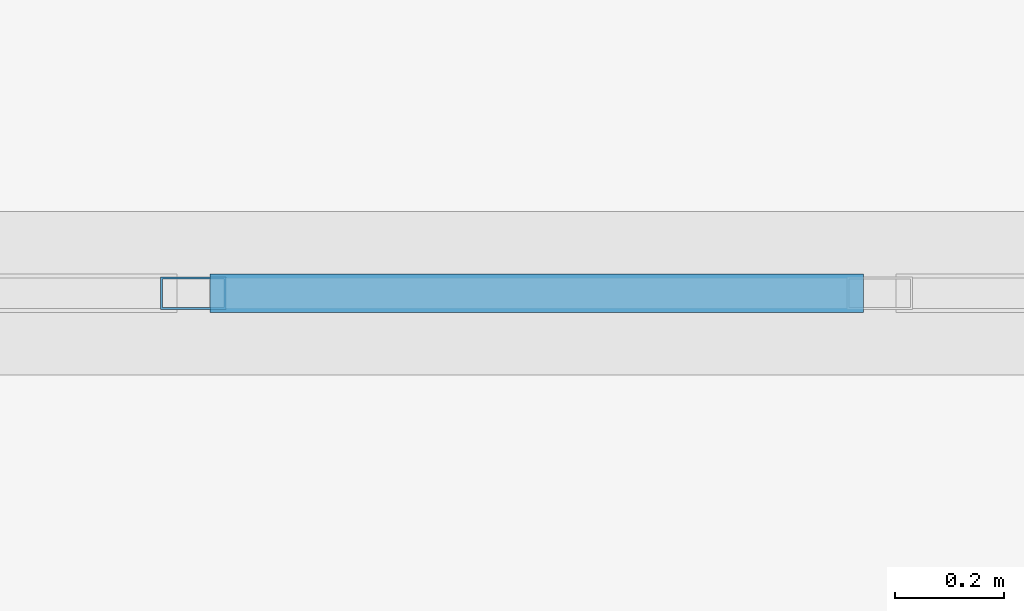
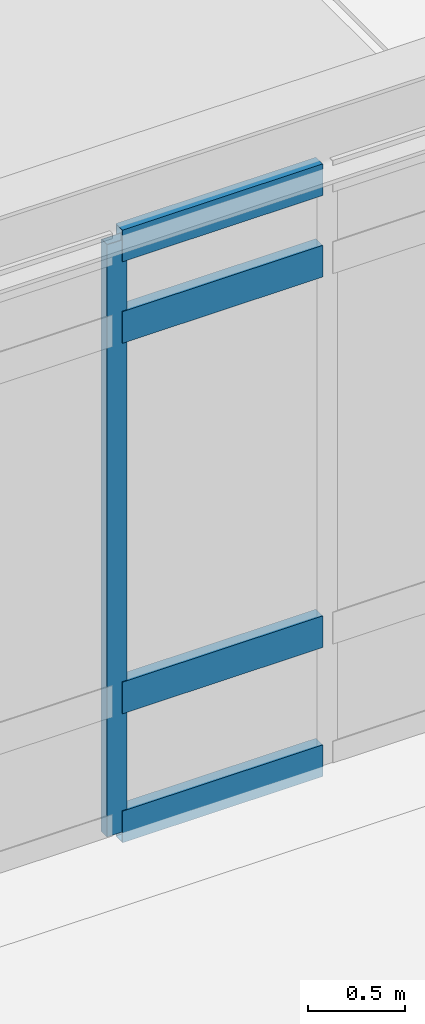
# One storey, part 27 of 55: 5 members, 1 element without a shape of its own.
"""IFC4 building model written with IfcOpenShell, lengths in metres."""

from ifc_helpers import new_model, si_unit, direction, frame, origin, origin_2d, place, context, subcontext, project, spatial, hollow_rectangle, extrude, material, layer, layer_set, material_profile, profile_set, type_object, element, aggregate, save


model = new_model("IFC4")

# Units and contexts
model_context = context("Model", 3, precision=1e-05, world=origin(), true_north=direction((0.0, 1.0)))
body_context = subcontext(model_context, "Body", "Model", "MODEL_VIEW")
ifc_project = project(units=[si_unit("LENGTHUNIT", "METRE"), si_unit("AREAUNIT", "SQUARE_METRE"), si_unit("VOLUMEUNIT", "CUBIC_METRE"), si_unit("PLANEANGLEUNIT", "RADIAN"), si_unit("MASSUNIT", "GRAM", prefix="KILO")], contexts=[model_context])

# Site, building, storey
site_placement = place(None, origin())
site = spatial("IfcSite", under=ifc_project, at=site_placement, CompositionType="ELEMENT")
building_placement = place(site_placement, origin())
building = spatial("IfcBuilding", under=site, at=building_placement, Name="Fikremerkos Civic Library", CompositionType="ELEMENT")
storey_placement = place(building_placement, frame((0.0, 0.0, 18.89990234375)))
storey = spatial("IfcBuildingStorey", under=building, at=storey_placement, Name="L04", CompositionType="ELEMENT", Elevation=18.89990234375)

# Curtain wall, members
ifc_material = material(Name="Anodized aluminium Frame", Category="aluminium")
ifc_layer = layer(ifc_material, 0.159912109375, Name="Anodized aluminium Frame")
ifc_layer_set = layer_set([ifc_layer], Name="Anodized aluminium Frame")
curtain_wall_type = type_object("IfcCurtainWallType", Name="Unitised curtain wall CW-08 4500x4100", PredefinedType="USERDEFINED", material=ifc_layer_set)
curtain_wall_placement = place(storey_placement, origin())
curtain_wall = element("IfcCurtainWall", 1, at=curtain_wall_placement, inside=storey, type_object=curtain_wall_type, Name="Unitised curtain wall CW-08 L04 #242", ObjectType="UNITISED CURTAIN WALL", PredefinedType="USERDEFINED")
ifc_material_profile_1 = material_profile(ifc_material, hollow_rectangle(XDim=0.06005859375, YDim=0.1201171875, WallThickness=0.00390625, at=origin_2d()), Name="ALU 120x60x4")
ifc_profile_set_1 = profile_set([ifc_material_profile_1], Name="Anodized aluminium Frame")
member_type_1 = type_object("IfcMemberType", Name="Curtain mullion CWM-04 ALU 120x60x4", PredefinedType="MULLION", material=ifc_profile_set_1)
member_1_placement = place(storey_placement, frame((79.322021484375, 31.199951171875, 0.0), z_axis=(0.0, 0.0, 1.0), x_axis=(0.0, 1.0, 0.0)))
member_1 = element("IfcMember", 2, at=member_1_placement, type_object=member_type_1, Name="CW-08 mullion 2", PredefinedType="MULLION", context=body_context, shape_type="SweptSolid", body=[
    extrude(hollow_rectangle(XDim=0.06005859375, YDim=0.1201171875, WallThickness=0.00390625, at=origin_2d()), origin(), (0.0, 0.0, 1.0), 3.739990234375),
])
ifc_material_profile_2 = material_profile(ifc_material, hollow_rectangle(XDim=0.070068359375, YDim=0.199951171875, WallThickness=0.0048828125, at=origin_2d()), Name="ALU 200x70x5")
ifc_profile_set_2 = profile_set([ifc_material_profile_2], Name="Anodized aluminium Frame")
member_type_2 = type_object("IfcMemberType", Name="Curtain transom CWT-04 ALU 200x70x5", PredefinedType="USERDEFINED", material=ifc_profile_set_2)
member_2_placement = place(storey_placement, frame((79.35205078125, 31.199951171875, 0.03515625), z_axis=(1.0, 0.0, 0.0), x_axis=(0.0, 1.0, 0.0)))
member_2 = element("IfcMember", 3, at=member_2_placement, type_object=member_type_2, Name="CW-08 transom 2.1", ObjectType="TRANSOM", PredefinedType="USERDEFINED", context=body_context, shape_type="SweptSolid", body=[
    extrude(hollow_rectangle(XDim=0.070068359375, YDim=0.199951171875, WallThickness=0.0048828125, at=origin_2d()), origin(), (0.0, 0.0, 1.0), 1.196044921875),
])
member_3_placement = place(storey_placement, frame((79.35205078125, 31.199951171875, 0.85009765625), z_axis=(1.0, 0.0, 0.0), x_axis=(0.0, 1.0, 0.0)))
member_3 = element("IfcMember", 4, at=member_3_placement, type_object=member_type_2, Name="CW-08 transom 2.2", ObjectType="TRANSOM", PredefinedType="USERDEFINED", context=body_context, shape_type="SweptSolid", body=[
    extrude(hollow_rectangle(XDim=0.070068359375, YDim=0.199951171875, WallThickness=0.0048828125, at=origin_2d()), origin(), (0.0, 0.0, 1.0), 1.196044921875),
])
member_4_placement = place(storey_placement, frame((79.35205078125, 31.199951171875, 3.190185546875), z_axis=(1.0, 0.0, 0.0), x_axis=(0.0, 1.0, 0.0)))
member_4 = element("IfcMember", 5, at=member_4_placement, type_object=member_type_2, Name="CW-08 transom 2.3", ObjectType="TRANSOM", PredefinedType="USERDEFINED", context=body_context, shape_type="SweptSolid", body=[
    extrude(hollow_rectangle(XDim=0.070068359375, YDim=0.199951171875, WallThickness=0.0048828125, at=origin_2d()), origin(), (0.0, 0.0, 1.0), 1.196044921875),
])
member_5_placement = place(storey_placement, frame((79.35205078125, 31.199951171875, 3.705078125), z_axis=(1.0, 0.0, 0.0), x_axis=(0.0, 1.0, 0.0)))
member_5 = element("IfcMember", 6, at=member_5_placement, type_object=member_type_2, Name="CW-08 transom 2.4", ObjectType="TRANSOM", PredefinedType="USERDEFINED", context=body_context, shape_type="SweptSolid", body=[
    extrude(hollow_rectangle(XDim=0.070068359375, YDim=0.199951171875, WallThickness=0.0048828125, at=origin_2d()), origin(), (0.0, 0.0, 1.0), 1.196044921875),
])
aggregate(curtain_wall, [member_1, member_2, member_3, member_4, member_5])

save(model, "model.ifc")
